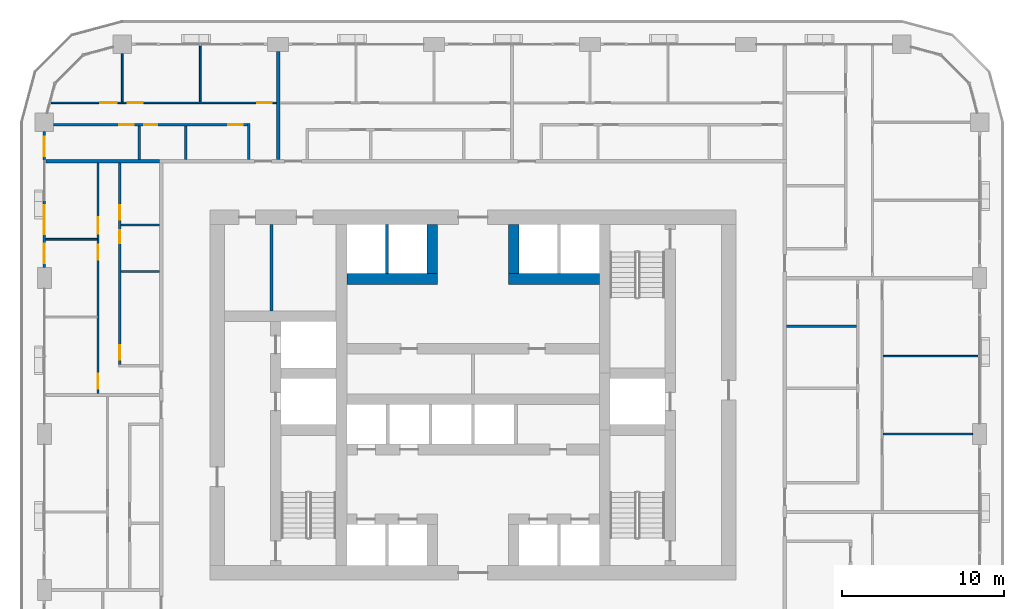
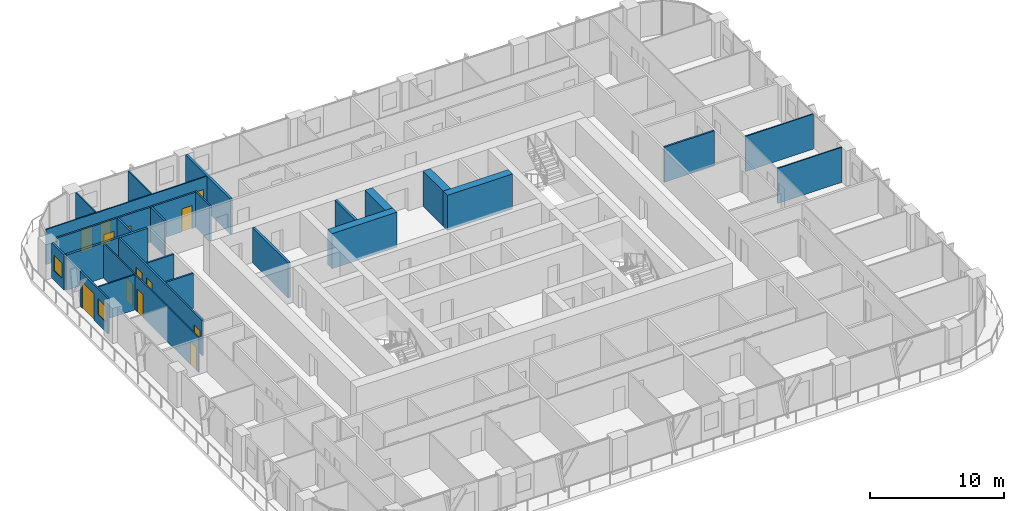
# One storey, part 13 of 22: 25 walls, 13 doors, 2 windows, 15 openings.
"""IFC4 building model written with IfcOpenShell, lengths in metres."""

from ifc_helpers import new_model, si_unit, direction, frame, frame_2d, origin, place, context, subcontext, project, spatial, rectangle, extrude, material, layer, layer_set, type_object, element, fill, save


model = new_model("IFC4")

# Units and contexts
model_context = context("Model", 3, precision=1e-05, world=origin(), true_north=direction((0.0, 1.0)))
body_context = subcontext(model_context, "Body", "Model", "MODEL_VIEW")
ifc_project = project(units=[si_unit("LENGTHUNIT", "METRE"), si_unit("AREAUNIT", "SQUARE_METRE"), si_unit("VOLUMEUNIT", "CUBIC_METRE"), si_unit("PLANEANGLEUNIT", "RADIAN"), si_unit("MASSUNIT", "GRAM", prefix="KILO")], contexts=[model_context])

# Site, building, storey
site_placement = place(None, origin())
site = spatial("IfcSite", under=ifc_project, at=site_placement, CompositionType="ELEMENT")
building_placement = place(site_placement, origin())
building = spatial("IfcBuilding", under=site, at=building_placement, Name="Madar Terraces", CompositionType="ELEMENT")
storey_placement = place(building_placement, frame((0.0, 0.0, 73.300048828125)))
storey = spatial("IfcBuildingStorey", under=building, at=storey_placement, Name="L18", CompositionType="ELEMENT", Elevation=73.300048828125)

# Walls
ifc_material_1 = material(Name="Concrete C80/95", Category="concrete")
ifc_layer_1 = layer(ifc_material_1, 0.64990234375)
ifc_layer_set_1 = layer_set([ifc_layer_1], Name="Concrete C80/95 (CIW2 RC wall 650)")
wall_type_1 = type_object("IfcWallType", Name="CIW2 RC wall 650", PredefinedType="SHEAR", material=ifc_layer_set_1)
wall_1_placement = place(storey_placement, frame((23.425048828125, 33.550048828125, 0.0), z_axis=(0.0, 0.0, 1.0), x_axis=(1.0, 0.0, 0.0)))
element("IfcWall", 1, at=wall_1_placement, inside=storey, type_object=wall_type_1, Name="CORE SHAFT WALL", PredefinedType="SHEAR", context=body_context, shape_type="SweptSolid", body=[
    extrude(rectangle(XDim=5.599853515625, YDim=0.64990234375, at=frame_2d((2.7998046875, 0.0))), origin(), (0.0, 0.0, 1.0), 3.199951171875),
])
wall_2_placement = place(storey_placement, frame((33.375, 33.550048828125, 0.0), z_axis=(0.0, 0.0, 1.0), x_axis=(1.0, 0.0, 0.0)))
element("IfcWall", 2, at=wall_2_placement, inside=storey, type_object=wall_type_1, Name="CORE SHAFT WALL", PredefinedType="SHEAR", context=body_context, shape_type="SweptSolid", body=[
    extrude(rectangle(XDim=5.60009765625, YDim=0.64990234375, at=frame_2d((2.800048828125, 0.0))), origin(), (0.0, 0.0, 1.0), 3.199951171875),
])
for number, where, z_axis, x_axis, name in (
    (3, (28.699951171875, 33.875, 0.0), (0.0, 0.0, 1.0), (0.0, 1.0, 0.0), "CORE SHAFT WALL"),
    (4, (33.699951171875, 33.875, 0.0), (0.0, 0.0, 1.0), (0.0, 1.0, 0.0), "CORE SHAFT WALL"),
):
    element("IfcWall", number, at=place(storey_placement, frame(where, z_axis=z_axis, x_axis=x_axis)), inside=storey, type_object=wall_type_1, Name=name, PredefinedType="SHEAR", context=body_context, shape_type="SweptSolid", body=[
        extrude(rectangle(XDim=3.02490234375, YDim=0.64990234375, at=frame_2d((1.512451171875, 0.0))), origin(), (0.0, 0.0, 1.0), 3.199951171875),
    ])
ifc_material_2 = material(Name="Masonry blockwork", Category="masonry")
ifc_layer_2 = layer(ifc_material_2, 0.199951171875)
ifc_layer_set_2 = layer_set([ifc_layer_2], Name="Core partition 200 blockwork")
wall_type_2 = type_object("IfcWallType", Name="Core partition 200 blockwork", PredefinedType="PARTITIONING", material=ifc_layer_set_2)
wall_3_placement = place(storey_placement, frame((18.78759765625, 31.574951171875, 0.0), z_axis=(0.0, 0.0, 1.0), x_axis=(0.0, 1.0, 0.0)))
element("IfcWall", 5, at=wall_3_placement, inside=storey, type_object=wall_type_2, Name="SERVICE ROOM PARTITION", PredefinedType="PARTITIONING", context=body_context, shape_type="SweptSolid", body=[
    extrude(rectangle(XDim=5.324951171875, YDim=0.199951171875, at=frame_2d((2.66259765625, 0.0))), origin(), (0.0, 0.0, 1.0), 3.199951171875),
])
ifc_material_3 = material(Name="Concrete C40/50", Category="concrete")
ifc_layer_3 = layer(ifc_material_3, 0.199951171875)
ifc_layer_set_3 = layer_set([ifc_layer_3], Name="Core shaft dividing wall 200 C40/50")
wall_type_3 = type_object("IfcWallType", Name="Core shaft dividing wall 200 C40/50", PredefinedType="SOLIDWALL", material=ifc_layer_set_3)
wall_4_placement = place(storey_placement, frame((25.89990234375, 33.875, 0.0), z_axis=(0.0, 0.0, 1.0), x_axis=(0.0, 1.0, 0.0)))
element("IfcWall", 6, at=wall_4_placement, inside=storey, type_object=wall_type_3, Name="SHAFT DIVIDING WALL", PredefinedType="SOLIDWALL", context=body_context, shape_type="SweptSolid", body=[
    extrude(rectangle(XDim=3.02490234375, YDim=0.199951171875, at=frame_2d((1.512451171875, 0.0))), origin(), (0.0, 0.0, 1.0), 3.199951171875),
])

# Wall, opening, window
ifc_material_4 = material(Name="Aluminium composite panel, black, over insulated backing", Category="aluminium")
ifc_layer_4 = layer(ifc_material_4, 0.14990234375)
ifc_layer_set_4 = layer_set([ifc_layer_4], Name="Facade bay panel 150")
wall_type_4 = type_object("IfcWallType", Name="Facade bay panel 150", PredefinedType="SOLIDWALL", material=ifc_layer_set_4)
wall_5_placement = place(storey_placement, frame((4.800048828125, 42.625, 0.0), z_axis=(0.0, 0.0, 1.0), x_axis=(0.0, -1.0, 0.0)))
wall_5 = element("IfcWall", 7, at=wall_5_placement, inside=storey, type_object=wall_type_4, Name="Facade bay panel", PredefinedType="SOLIDWALL", context=body_context, shape_type="SweptSolid", body=[
    extrude(rectangle(XDim=1.824951171875, YDim=0.14990234375, at=frame_2d((0.91259765625, 0.0))), origin(), (0.0, 0.0, 1.0), 3.199951171875),
])
opening_1_placement = place(wall_5_placement, frame((0.3125, 0.0, 0.89990234375)))
opening_1 = element("IfcOpeningElement", 8, at=opening_1_placement, cuts=wall_5, Name="Opening W1", PredefinedType="OPENING", context=body_context, shape_type="SweptSolid", body=[
    extrude(rectangle(XDim=1.199951171875, YDim=1.39990234375, at=frame_2d((0.60009765625, 0.699951171875))), frame((0.0, 0.0849609375, 0.0), z_axis=(0.0, -1.0, 0.0), x_axis=(1.0, 0.0, 0.0)), (0.0, 0.0, 1.0), 0.169921875),
])
ifc_material_5 = material(Name="Glass, clear, with black aluminium frame", Category="aluminium")
window_type = type_object("IfcWindowType", Name="Vent window 1200 x 1400", PartitioningType="SINGLE_PANEL", PredefinedType="WINDOW", material=ifc_material_5)
window_1_placement = place(opening_1_placement, origin())
window_1 = element("IfcWindow", 9, at=window_1_placement, inside=storey, type_object=window_type, Name="Operable vent window", OverallHeight=1.39990234375, OverallWidth=1.199951171875, PartitioningType="SINGLE_PANEL", PredefinedType="WINDOW", context=body_context, shape_type="SweptSolid", body=[
    extrude(rectangle(XDim=1.199951171875, YDim=1.39990234375, at=frame_2d((0.60009765625, 0.699951171875))), frame((0.0, 0.030029296875, 0.0), z_axis=(0.0, -1.0, 0.0), x_axis=(1.0, 0.0, 0.0)), (0.0, 0.0, 1.0), 0.06005859375),
])
fill(opening_1, window_1)

# Wall, openings, door, window
wall_6_placement = place(storey_placement, frame((4.800048828125, 38.39990234375, 0.0), z_axis=(0.0, 0.0, 1.0), x_axis=(0.0, -1.0, 0.0)))
wall_6 = element("IfcWall", 10, at=wall_6_placement, inside=storey, type_object=wall_type_4, Name="Facade bay panel", PredefinedType="SOLIDWALL", context=body_context, shape_type="SweptSolid", body=[
    extrude(rectangle(XDim=4.14990234375, YDim=0.14990234375, at=frame_2d((2.074951171875, 0.0))), origin(), (0.0, 0.0, 1.0), 3.199951171875),
])
opening_2_placement = place(wall_6_placement, frame((0.300048828125, 0.0, 0.0)))
opening_2 = element("IfcOpeningElement", 11, at=opening_2_placement, cuts=wall_6, Name="Opening ED1", PredefinedType="OPENING", context=body_context, shape_type="SweptSolid", body=[
    extrude(rectangle(XDim=1.800048828125, YDim=2.39990234375, at=frame_2d((0.89990234375, 1.199951171875))), frame((0.0, 0.0849609375, 0.0), z_axis=(0.0, -1.0, 0.0), x_axis=(1.0, 0.0, 0.0)), (0.0, 0.0, 1.0), 0.169921875),
])
opening_3_placement = place(wall_6_placement, frame((2.675048828125, 0.0, 0.89990234375)))
opening_3 = element("IfcOpeningElement", 12, at=opening_3_placement, cuts=wall_6, Name="Opening W1", PredefinedType="OPENING", context=body_context, shape_type="SweptSolid", body=[
    extrude(rectangle(XDim=1.199951171875, YDim=1.39990234375, at=frame_2d((0.60009765625, 0.699951171875))), frame((0.0, 0.0849609375, 0.0), z_axis=(0.0, -1.0, 0.0), x_axis=(1.0, 0.0, 0.0)), (0.0, 0.0, 1.0), 0.169921875),
])
ifc_material_6 = material(Name="Glass, clear, with black aluminium frame", Category="aluminium")
door_type_1 = type_object("IfcDoorType", Name="Balcony and terrace sliding door 1800 x 2400", OperationType="SLIDING_TO_LEFT", PredefinedType="DOOR", material=ifc_material_6)
door_1_placement = place(opening_2_placement, origin())
door_1 = element("IfcDoor", 13, at=door_1_placement, inside=storey, type_object=door_type_1, Name="Balcony door", OperationType="SLIDING_TO_RIGHT", OverallHeight=2.39990234375, OverallWidth=1.800048828125, PredefinedType="DOOR", context=body_context, shape_type="SweptSolid", body=[
    extrude(rectangle(XDim=1.800048828125, YDim=2.39990234375, at=frame_2d((0.89990234375, 1.199951171875))), frame((0.0, 0.02490234375, 0.0), z_axis=(0.0, -1.0, 0.0), x_axis=(1.0, 0.0, 0.0)), (0.0, 0.0, 1.0), 0.050048828125),
])
fill(opening_2, door_1)
window_2_placement = place(opening_3_placement, origin())
window_2 = element("IfcWindow", 14, at=window_2_placement, inside=storey, type_object=window_type, Name="Operable vent window", OverallHeight=1.39990234375, OverallWidth=1.199951171875, PartitioningType="SINGLE_PANEL", PredefinedType="WINDOW", context=body_context, shape_type="SweptSolid", body=[
    extrude(rectangle(XDim=1.199951171875, YDim=1.39990234375, at=frame_2d((0.60009765625, 0.699951171875))), frame((0.0, 0.030029296875, 0.0), z_axis=(0.0, -1.0, 0.0), x_axis=(1.0, 0.0, 0.0)), (0.0, 0.0, 1.0), 0.06005859375),
])
fill(opening_3, window_2)

# Walls
ifc_material_7 = material(Name="Gypsum board on steel studs", Category="steel")
ifc_layer_5 = layer(ifc_material_7, 0.10009765625)
ifc_layer_set_5 = layer_set([ifc_layer_5], Name="Flat partition 100")
wall_type_5 = type_object("IfcWallType", Name="Flat partition 100", PredefinedType="PARTITIONING", material=ifc_layer_set_5)
wall_7_placement = place(storey_placement, frame((56.449951171875, 24.0, 0.0), z_axis=(0.0, 0.0, 1.0), x_axis=(1.0, 0.0, 0.0)))
element("IfcWall", 15, at=wall_7_placement, inside=storey, type_object=wall_type_5, Name="Flat partition 100", PredefinedType="PARTITIONING", context=body_context, shape_type="SweptSolid", body=[
    extrude(rectangle(XDim=5.525146484375, YDim=0.10009765625, at=frame_2d((2.7626953125, 0.0))), origin(), (0.0, 0.0, 1.0), 3.199951171875),
])
wall_8_placement = place(storey_placement, frame((56.449951171875, 28.800048828125, 0.0), z_axis=(0.0, 0.0, 1.0), x_axis=(1.0, 0.0, 0.0)))
element("IfcWall", 16, at=wall_8_placement, inside=storey, type_object=wall_type_5, Name="Flat partition 100", PredefinedType="PARTITIONING", context=body_context, shape_type="SweptSolid", body=[
    extrude(rectangle(XDim=5.85009765625, YDim=0.10009765625, at=frame_2d((2.925048828125, 0.0))), origin(), (0.0, 0.0, 1.0), 3.199951171875),
])
wall_9_placement = place(storey_placement, frame((14.39990234375, 44.449951171875, 0.0), z_axis=(0.0, 0.0, 1.0), x_axis=(0.0, 1.0, 0.0)))
element("IfcWall", 17, at=wall_9_placement, inside=storey, type_object=wall_type_5, Name="Flat partition 100", PredefinedType="PARTITIONING", context=body_context, shape_type="SweptSolid", body=[
    extrude(rectangle(XDim=3.449951171875, YDim=0.10009765625, at=frame_2d((1.72509765625, 0.0))), origin(), (0.0, 0.0, 1.0), 3.199951171875),
])
wall_10_placement = place(storey_placement, frame((9.60009765625, 44.449951171875, 0.0), z_axis=(0.0, 0.0, 1.0), x_axis=(0.0, 1.0, 0.0)))
element("IfcWall", 18, at=wall_10_placement, inside=storey, type_object=wall_type_5, Name="Flat partition 100", PredefinedType="PARTITIONING", context=body_context, shape_type="SweptSolid", body=[
    extrude(rectangle(XDim=2.97509765625, YDim=0.10009765625, at=frame_2d((1.487548828125, 0.0))), origin(), (0.0, 0.0, 1.0), 3.199951171875),
])

# Wall, openings, doors
wall_11_placement = place(storey_placement, frame((5.221435546875, 44.39990234375, 0.0), z_axis=(0.0, 0.0, 1.0), x_axis=(1.0, 0.0, 0.0)))
wall_11 = element("IfcWall", 19, at=wall_11_placement, inside=storey, type_object=wall_type_5, Name="Flat partition 100", PredefinedType="PARTITIONING", context=body_context, shape_type="SweptSolid", body=[
    extrude(rectangle(XDim=13.878662109375, YDim=0.10009765625, at=frame_2d((6.939453125, 0.0))), origin(), (0.0, 0.0, 1.0), 3.199951171875),
])
opening_4_placement = place(wall_11_placement, frame((12.678466796875, 0.0, 0.0)))
opening_4 = element("IfcOpeningElement", 20, at=opening_4_placement, cuts=wall_11, Name="Opening D2", PredefinedType="OPENING", context=body_context, shape_type="SweptSolid", body=[
    extrude(rectangle(XDim=0.89990234375, YDim=2.10009765625, at=frame_2d((0.449951171875, 1.050048828125))), frame((0.0, 0.06005859375, 0.0), z_axis=(0.0, -1.0, 0.0), x_axis=(1.0, 0.0, 0.0)), (0.0, 0.0, 1.0), 0.1201171875),
])
opening_5_placement = place(wall_11_placement, frame((4.728515625, 0.0, 0.0)))
opening_5 = element("IfcOpeningElement", 21, at=opening_5_placement, cuts=wall_11, Name="Opening D2", PredefinedType="OPENING", context=body_context, shape_type="SweptSolid", body=[
    extrude(rectangle(XDim=0.89990234375, YDim=2.10009765625, at=frame_2d((0.449951171875, 1.050048828125))), frame((0.0, 0.06005859375, 0.0), z_axis=(0.0, -1.0, 0.0), x_axis=(1.0, 0.0, 0.0)), (0.0, 0.0, 1.0), 0.1201171875),
])
opening_6_placement = place(wall_11_placement, frame((3.028564453125, 0.0, 0.0)))
opening_6 = element("IfcOpeningElement", 22, at=opening_6_placement, cuts=wall_11, Name="Opening D3", PredefinedType="OPENING", context=body_context, shape_type="SweptSolid", body=[
    extrude(rectangle(XDim=1.0, YDim=2.10009765625, at=frame_2d((0.5, 1.050048828125))), frame((0.0, 0.06005859375, 0.0), z_axis=(0.0, -1.0, 0.0), x_axis=(1.0, 0.0, 0.0)), (0.0, 0.0, 1.0), 0.1201171875),
])
ifc_material_8 = material(Name="Timber door leaf", Category="wood")
door_type_2 = type_object("IfcDoorType", Name="Flat living room door 1000", OperationType="NOTDEFINED", PredefinedType="DOOR", material=ifc_material_8)
door_2_placement = place(opening_6_placement, origin())
door_2 = element("IfcDoor", 23, at=door_2_placement, inside=storey, type_object=door_type_2, Name="Flat living room door 1000", OperationType="SINGLE_SWING_RIGHT", OverallHeight=2.10009765625, OverallWidth=1.0, PredefinedType="DOOR", context=body_context, shape_type="SweptSolid", body=[
    extrude(rectangle(XDim=1.0, YDim=2.10009765625, at=frame_2d((0.5, 1.050048828125))), frame((0.0, 0.02490234375, 0.0), z_axis=(0.0, -1.0, 0.0), x_axis=(1.0, 0.0, 0.0)), (0.0, 0.0, 1.0), 0.050048828125),
])
fill(opening_6, door_2)
ifc_material_9 = material(Name="Timber door leaf", Category="wood")
door_type_3 = type_object("IfcDoorType", Name="Flat room door 900", OperationType="NOTDEFINED", PredefinedType="DOOR", material=ifc_material_9)
door_3_placement = place(opening_4_placement, origin())
door_3 = element("IfcDoor", 24, at=door_3_placement, inside=storey, type_object=door_type_3, Name="Flat room door 900", OperationType="SINGLE_SWING_RIGHT", OverallHeight=2.10009765625, OverallWidth=0.89990234375, PredefinedType="DOOR", context=body_context, shape_type="SweptSolid", body=[
    extrude(rectangle(XDim=0.89990234375, YDim=2.10009765625, at=frame_2d((0.449951171875, 1.050048828125))), frame((0.0, 0.02490234375, 0.0), z_axis=(0.0, -1.0, 0.0), x_axis=(1.0, 0.0, 0.0)), (0.0, 0.0, 1.0), 0.050048828125),
])
fill(opening_4, door_3)
door_4_placement = place(opening_5_placement, origin())
door_4 = element("IfcDoor", 25, at=door_4_placement, inside=storey, type_object=door_type_3, Name="Flat room door 900", OperationType="SINGLE_SWING_LEFT", OverallHeight=2.10009765625, OverallWidth=0.89990234375, PredefinedType="DOOR", context=body_context, shape_type="SweptSolid", body=[
    extrude(rectangle(XDim=0.89990234375, YDim=2.10009765625, at=frame_2d((0.449951171875, 1.050048828125))), frame((0.0, 0.02490234375, 0.0), z_axis=(0.0, -1.0, 0.0), x_axis=(1.0, 0.0, 0.0)), (0.0, 0.0, 1.0), 0.050048828125),
])
fill(opening_5, door_4)

# Wall
wall_12_placement = place(storey_placement, frame((8.050048828125, 36.0, 0.0), z_axis=(0.0, 0.0, 1.0), x_axis=(-1.0, 0.0, 0.0)))
element("IfcWall", 26, at=wall_12_placement, inside=storey, type_object=wall_type_5, Name="Flat partition 100", PredefinedType="PARTITIONING", context=body_context, shape_type="SweptSolid", body=[
    extrude(rectangle(XDim=3.150146484375, YDim=0.10009765625, at=frame_2d((1.5751953125, 0.0))), origin(), (0.0, 0.0, 1.0), 3.199951171875),
])

# Wall, openings, doors
wall_13_placement = place(storey_placement, frame((8.10009765625, 26.5, 0.0), z_axis=(0.0, 0.0, 1.0), x_axis=(0.0, 1.0, 0.0)))
wall_13 = element("IfcWall", 27, at=wall_13_placement, inside=storey, type_object=wall_type_5, Name="Flat partition 100", PredefinedType="PARTITIONING", context=body_context, shape_type="SweptSolid", body=[
    extrude(rectangle(XDim=14.199951171875, YDim=0.10009765625, at=frame_2d((7.10009765625, 0.0))), origin(), (0.0, 0.0, 1.0), 3.199951171875),
])
opening_7_placement = place(wall_13_placement, frame((0.300048828125, 0.0, 0.0)))
opening_7 = element("IfcOpeningElement", 28, at=opening_7_placement, cuts=wall_13, Name="Opening D2", PredefinedType="OPENING", context=body_context, shape_type="SweptSolid", body=[
    extrude(rectangle(XDim=0.89990234375, YDim=2.10009765625, at=frame_2d((0.449951171875, 1.050048828125))), frame((0.0, 0.06005859375, 0.0), z_axis=(0.0, -1.0, 0.0), x_axis=(1.0, 0.0, 0.0)), (0.0, 0.0, 1.0), 0.1201171875),
])
opening_8_placement = place(wall_13_placement, frame((8.25, 0.0, 0.0)))
opening_8 = element("IfcOpeningElement", 29, at=opening_8_placement, cuts=wall_13, Name="Opening D2", PredefinedType="OPENING", context=body_context, shape_type="SweptSolid", body=[
    extrude(rectangle(XDim=0.89990234375, YDim=2.10009765625, at=frame_2d((0.449951171875, 1.050048828125))), frame((0.0, 0.06005859375, 0.0), z_axis=(0.0, -1.0, 0.0), x_axis=(1.0, 0.0, 0.0)), (0.0, 0.0, 1.0), 0.1201171875),
])
opening_9_placement = place(wall_13_placement, frame((9.85009765625, 0.0, 0.0)))
opening_9 = element("IfcOpeningElement", 30, at=opening_9_placement, cuts=wall_13, Name="Opening D3", PredefinedType="OPENING", context=body_context, shape_type="SweptSolid", body=[
    extrude(rectangle(XDim=1.0, YDim=2.10009765625, at=frame_2d((0.5, 1.050048828125))), frame((0.0, 0.06005859375, 0.0), z_axis=(0.0, -1.0, 0.0), x_axis=(1.0, 0.0, 0.0)), (0.0, 0.0, 1.0), 0.1201171875),
])
door_5_placement = place(opening_9_placement, origin())
door_5 = element("IfcDoor", 31, at=door_5_placement, inside=storey, type_object=door_type_2, Name="Flat living room door 1000", OperationType="SINGLE_SWING_LEFT", OverallHeight=2.10009765625, OverallWidth=1.0, PredefinedType="DOOR", context=body_context, shape_type="SweptSolid", body=[
    extrude(rectangle(XDim=1.0, YDim=2.10009765625, at=frame_2d((0.5, 1.050048828125))), frame((0.0, 0.02490234375, 0.0), z_axis=(0.0, -1.0, 0.0), x_axis=(1.0, 0.0, 0.0)), (0.0, 0.0, 1.0), 0.050048828125),
])
fill(opening_9, door_5)
door_6_placement = place(opening_7_placement, origin())
door_6 = element("IfcDoor", 32, at=door_6_placement, inside=storey, type_object=door_type_3, Name="Flat room door 900", OperationType="SINGLE_SWING_LEFT", OverallHeight=2.10009765625, OverallWidth=0.89990234375, PredefinedType="DOOR", context=body_context, shape_type="SweptSolid", body=[
    extrude(rectangle(XDim=0.89990234375, YDim=2.10009765625, at=frame_2d((0.449951171875, 1.050048828125))), frame((0.0, 0.02490234375, 0.0), z_axis=(0.0, -1.0, 0.0), x_axis=(1.0, 0.0, 0.0)), (0.0, 0.0, 1.0), 0.050048828125),
])
fill(opening_7, door_6)
door_7_placement = place(opening_8_placement, origin())
door_7 = element("IfcDoor", 33, at=door_7_placement, inside=storey, type_object=door_type_3, Name="Flat room door 900", OperationType="SINGLE_SWING_RIGHT", OverallHeight=2.10009765625, OverallWidth=0.89990234375, PredefinedType="DOOR", context=body_context, shape_type="SweptSolid", body=[
    extrude(rectangle(XDim=0.89990234375, YDim=2.10009765625, at=frame_2d((0.449951171875, 1.050048828125))), frame((0.0, 0.02490234375, 0.0), z_axis=(0.0, -1.0, 0.0), x_axis=(1.0, 0.0, 0.0)), (0.0, 0.0, 1.0), 0.050048828125),
])
fill(opening_8, door_7)

# Walls
ifc_material_10 = material(Name="Lightweight blockwork", Category="masonry")
ifc_layer_6 = layer(ifc_material_10, 0.199951171875)
ifc_layer_set_6 = layer_set([ifc_layer_6], Name="Flat party and entrance wall 200")
wall_type_6 = type_object("IfcWallType", Name="Flat party and entrance wall 200", PredefinedType="PARTITIONING", material=ifc_layer_set_6)
wall_14_placement = place(storey_placement, frame((19.199951171875, 47.574951171875, 0.0), z_axis=(0.0, 0.0, 1.0), x_axis=(0.0, -1.0, 0.0)))
element("IfcWall", 34, at=wall_14_placement, inside=storey, type_object=wall_type_6, Name="Flat party and entrance wall 200", PredefinedType="PARTITIONING", context=body_context, shape_type="SweptSolid", body=[
    extrude(rectangle(XDim=6.675048828125, YDim=0.199951171875, at=frame_2d((3.33740234375, 0.0))), origin(), (0.0, 0.0, 1.0), 3.199951171875),
])
wall_15_placement = place(storey_placement, frame((4.89990234375, 40.800048828125, 0.0), z_axis=(0.0, 0.0, 1.0), x_axis=(1.0, 0.0, 0.0)))
element("IfcWall", 35, at=wall_15_placement, inside=storey, type_object=wall_type_6, Name="Flat party and entrance wall 200", PredefinedType="PARTITIONING", context=body_context, shape_type="SweptSolid", body=[
    extrude(rectangle(XDim=7.0, YDim=0.199951171875, at=frame_2d((3.5, 0.0))), origin(), (0.0, 0.0, 1.0), 3.199951171875),
])
ifc_material_11 = material(Name="Lightweight blockwork", Category="masonry")
ifc_layer_7 = layer(ifc_material_11, 0.14990234375)
ifc_layer_set_7 = layer_set([ifc_layer_7], Name="Flat wet-room partition 150")
wall_type_7 = type_object("IfcWallType", Name="Flat wet-room partition 150", PredefinedType="PARTITIONING", material=ifc_layer_set_7)
wall_16_placement = place(storey_placement, frame((50.5, 30.6328125, 0.0), z_axis=(0.0, 0.0, 1.0), x_axis=(1.0, 0.0, 0.0)))
element("IfcWall", 36, at=wall_16_placement, inside=storey, type_object=wall_type_7, Name="Flat wet-room partition 150", PredefinedType="PARTITIONING", context=body_context, shape_type="SweptSolid", body=[
    extrude(rectangle(XDim=4.324951171875, YDim=0.14990234375, at=frame_2d((2.16259765625, 0.0))), origin(), (0.0, 0.0, 1.0), 3.199951171875),
])
for number, where, z_axis, x_axis, name in (
    (37, (13.501953125, 40.89990234375, 0.0), (0.0, 0.0, 1.0), (0.0, 1.0, 0.0), "Flat wet-room partition 150"),
    (38, (10.634521484375, 40.89990234375, 0.0), (0.0, 0.0, 1.0), (0.0, 1.0, 0.0), "Flat wet-room partition 150"),
):
    element("IfcWall", number, at=place(storey_placement, frame(where, z_axis=z_axis, x_axis=x_axis)), inside=storey, type_object=wall_type_7, Name=name, PredefinedType="PARTITIONING", context=body_context, shape_type="SweptSolid", body=[
        extrude(rectangle(XDim=2.0751953125, YDim=0.14990234375, at=frame_2d((1.03759765625, 0.0))), origin(), (0.0, 0.0, 1.0), 3.199951171875),
    ])
wall_17_placement = place(storey_placement, frame((17.39990234375, 40.89990234375, 0.0), z_axis=(0.0, 0.0, 1.0), x_axis=(0.0, 1.0, 0.0)))
element("IfcWall", 39, at=wall_17_placement, inside=storey, type_object=wall_type_7, Name="Flat wet-room partition 150", PredefinedType="PARTITIONING", context=body_context, shape_type="SweptSolid", body=[
    extrude(rectangle(XDim=2.22509765625, YDim=0.14990234375, at=frame_2d((1.112548828125, 0.0))), origin(), (0.0, 0.0, 1.0), 3.199951171875),
])

# Wall, openings, doors
wall_18_placement = place(storey_placement, frame((17.324951171875, 43.050048828125, 0.0), z_axis=(0.0, 0.0, 1.0), x_axis=(-1.0, 0.0, 0.0)))
wall_18 = element("IfcWall", 40, at=wall_18_placement, inside=storey, type_object=wall_type_7, Name="Flat wet-room partition 150", PredefinedType="PARTITIONING", context=body_context, shape_type="SweptSolid", body=[
    extrude(rectangle(XDim=11.949951171875, YDim=0.14990234375, at=frame_2d((5.97509765625, 0.0))), origin(), (0.0, 0.0, 1.0), 3.199951171875),
])
opening_10_placement = place(wall_18_placement, frame((0.300048828125, 0.0, 0.0)))
opening_10 = element("IfcOpeningElement", 41, at=opening_10_placement, cuts=wall_18, Name="Opening D5", PredefinedType="OPENING", context=body_context, shape_type="SweptSolid", body=[
    extrude(rectangle(XDim=0.89990234375, YDim=2.10009765625, at=frame_2d((0.449951171875, 1.050048828125))), frame((0.0, 0.0849609375, 0.0), z_axis=(0.0, -1.0, 0.0), x_axis=(1.0, 0.0, 0.0)), (0.0, 0.0, 1.0), 0.169921875),
])
opening_11_placement = place(wall_18_placement, frame((5.5654296875, 0.0, 0.0)))
opening_11 = element("IfcOpeningElement", 42, at=opening_11_placement, cuts=wall_18, Name="Opening D4", PredefinedType="OPENING", context=body_context, shape_type="SweptSolid", body=[
    extrude(rectangle(XDim=0.800048828125, YDim=2.10009765625, at=frame_2d((0.39990234375, 1.050048828125))), frame((0.0, 0.0849609375, 0.0), z_axis=(0.0, -1.0, 0.0), x_axis=(1.0, 0.0, 0.0)), (0.0, 0.0, 1.0), 0.169921875),
])
opening_12_placement = place(wall_18_placement, frame((7.015380859375, 0.0, 0.0)))
opening_12 = element("IfcOpeningElement", 43, at=opening_12_placement, cuts=wall_18, Name="Opening D2", PredefinedType="OPENING", context=body_context, shape_type="SweptSolid", body=[
    extrude(rectangle(XDim=0.89990234375, YDim=2.10009765625, at=frame_2d((0.449951171875, 1.050048828125))), frame((0.0, 0.0849609375, 0.0), z_axis=(0.0, -1.0, 0.0), x_axis=(1.0, 0.0, 0.0)), (0.0, 0.0, 1.0), 0.169921875),
])
ifc_material_12 = material(Name="Timber door leaf", Category="wood")
door_type_4 = type_object("IfcDoorType", Name="Flat accessible bathroom door 900", OperationType="NOTDEFINED", PredefinedType="DOOR", material=ifc_material_12)
door_8_placement = place(opening_10_placement, origin())
door_8 = element("IfcDoor", 44, at=door_8_placement, inside=storey, type_object=door_type_4, Name="Flat accessible bathroom door 900", OperationType="SINGLE_SWING_LEFT", OverallHeight=2.10009765625, OverallWidth=0.89990234375, PredefinedType="DOOR", context=body_context, shape_type="SweptSolid", body=[
    extrude(rectangle(XDim=0.89990234375, YDim=2.10009765625, at=frame_2d((0.449951171875, 1.050048828125))), frame((0.0, 0.02490234375, 0.0), z_axis=(0.0, -1.0, 0.0), x_axis=(1.0, 0.0, 0.0)), (0.0, 0.0, 1.0), 0.050048828125),
])
fill(opening_10, door_8)
ifc_material_13 = material(Name="Timber door leaf", Category="wood")
door_type_5 = type_object("IfcDoorType", Name="Flat bathroom door 800", OperationType="NOTDEFINED", PredefinedType="DOOR", material=ifc_material_13)
door_9_placement = place(opening_11_placement, origin())
door_9 = element("IfcDoor", 45, at=door_9_placement, inside=storey, type_object=door_type_5, Name="Flat bathroom door 800", OperationType="SINGLE_SWING_RIGHT", OverallHeight=2.10009765625, OverallWidth=0.800048828125, PredefinedType="DOOR", context=body_context, shape_type="SweptSolid", body=[
    extrude(rectangle(XDim=0.800048828125, YDim=2.10009765625, at=frame_2d((0.39990234375, 1.050048828125))), frame((0.0, 0.02490234375, 0.0), z_axis=(0.0, -1.0, 0.0), x_axis=(1.0, 0.0, 0.0)), (0.0, 0.0, 1.0), 0.050048828125),
])
fill(opening_11, door_9)
door_10_placement = place(opening_12_placement, origin())
door_10 = element("IfcDoor", 46, at=door_10_placement, inside=storey, type_object=door_type_3, Name="Flat room door 900", OperationType="SINGLE_SWING_LEFT", OverallHeight=2.10009765625, OverallWidth=0.89990234375, PredefinedType="DOOR", context=body_context, shape_type="SweptSolid", body=[
    extrude(rectangle(XDim=0.89990234375, YDim=2.10009765625, at=frame_2d((0.449951171875, 1.050048828125))), frame((0.0, 0.02490234375, 0.0), z_axis=(0.0, -1.0, 0.0), x_axis=(1.0, 0.0, 0.0)), (0.0, 0.0, 1.0), 0.050048828125),
])
fill(opening_12, door_10)

# Walls
for number, where, z_axis, x_axis, name in (
    (47, (11.89990234375, 34.009521484375, 0.0), (0.0, 0.0, 1.0), (-1.0, 0.0, 0.0), "Flat wet-room partition 150"),
    (48, (11.89990234375, 36.876953125, 0.0), (0.0, 0.0, 1.0), (-1.0, 0.0, 0.0), "Flat wet-room partition 150"),
):
    element("IfcWall", number, at=place(storey_placement, frame(where, z_axis=z_axis, x_axis=x_axis)), inside=storey, type_object=wall_type_7, Name=name, PredefinedType="PARTITIONING", context=body_context, shape_type="SweptSolid", body=[
        extrude(rectangle(XDim=2.375, YDim=0.14990234375, at=frame_2d((1.1875, 0.0))), origin(), (0.0, 0.0, 1.0), 3.199951171875),
    ])

# Wall, openings, doors
wall_19_placement = place(storey_placement, frame((9.449951171875, 40.699951171875, 0.0), z_axis=(0.0, 0.0, 1.0), x_axis=(0.0, -1.0, 0.0)))
wall_19 = element("IfcWall", 49, at=wall_19_placement, inside=storey, type_object=wall_type_7, Name="Flat wet-room partition 150", PredefinedType="PARTITIONING", context=body_context, shape_type="SweptSolid", body=[
    extrude(rectangle(XDim=12.425048828125, YDim=0.14990234375, at=frame_2d((6.21240234375, 0.0))), origin(), (0.0, 0.0, 1.0), 3.199951171875),
])
opening_13_placement = place(wall_19_placement, frame((11.22509765625, 0.0, 0.0)))
opening_13 = element("IfcOpeningElement", 50, at=opening_13_placement, cuts=wall_19, Name="Opening D2", PredefinedType="OPENING", context=body_context, shape_type="SweptSolid", body=[
    extrude(rectangle(XDim=0.89990234375, YDim=2.10009765625, at=frame_2d((0.449951171875, 1.050048828125))), frame((0.0, 0.0849609375, 0.0), z_axis=(0.0, -1.0, 0.0), x_axis=(1.0, 0.0, 0.0)), (0.0, 0.0, 1.0), 0.169921875),
])
opening_14_placement = place(wall_19_placement, frame((4.148193359375, 0.0, 0.0)))
opening_14 = element("IfcOpeningElement", 51, at=opening_14_placement, cuts=wall_19, Name="Opening D4", PredefinedType="OPENING", context=body_context, shape_type="SweptSolid", body=[
    extrude(rectangle(XDim=0.800048828125, YDim=2.10009765625, at=frame_2d((0.39990234375, 1.050048828125))), frame((0.0, 0.0849609375, 0.0), z_axis=(0.0, -1.0, 0.0), x_axis=(1.0, 0.0, 0.0)), (0.0, 0.0, 1.0), 0.169921875),
])
opening_15_placement = place(wall_19_placement, frame((2.59814453125, 0.0, 0.0)))
opening_15 = element("IfcOpeningElement", 52, at=opening_15_placement, cuts=wall_19, Name="Opening D5", PredefinedType="OPENING", context=body_context, shape_type="SweptSolid", body=[
    extrude(rectangle(XDim=0.89990234375, YDim=2.10009765625, at=frame_2d((0.449951171875, 1.050048828125))), frame((0.0, 0.0849609375, 0.0), z_axis=(0.0, -1.0, 0.0), x_axis=(1.0, 0.0, 0.0)), (0.0, 0.0, 1.0), 0.169921875),
])
door_11_placement = place(opening_15_placement, origin())
door_11 = element("IfcDoor", 53, at=door_11_placement, inside=storey, type_object=door_type_4, Name="Flat accessible bathroom door 900", OperationType="SINGLE_SWING_RIGHT", OverallHeight=2.10009765625, OverallWidth=0.89990234375, PredefinedType="DOOR", context=body_context, shape_type="SweptSolid", body=[
    extrude(rectangle(XDim=0.89990234375, YDim=2.10009765625, at=frame_2d((0.449951171875, 1.050048828125))), frame((0.0, 0.02490234375, 0.0), z_axis=(0.0, -1.0, 0.0), x_axis=(1.0, 0.0, 0.0)), (0.0, 0.0, 1.0), 0.050048828125),
])
fill(opening_15, door_11)
door_12_placement = place(opening_14_placement, origin())
door_12 = element("IfcDoor", 54, at=door_12_placement, inside=storey, type_object=door_type_5, Name="Flat bathroom door 800", OperationType="SINGLE_SWING_LEFT", OverallHeight=2.10009765625, OverallWidth=0.800048828125, PredefinedType="DOOR", context=body_context, shape_type="SweptSolid", body=[
    extrude(rectangle(XDim=0.800048828125, YDim=2.10009765625, at=frame_2d((0.39990234375, 1.050048828125))), frame((0.0, 0.02490234375, 0.0), z_axis=(0.0, -1.0, 0.0), x_axis=(1.0, 0.0, 0.0)), (0.0, 0.0, 1.0), 0.050048828125),
])
fill(opening_14, door_12)
door_13_placement = place(opening_13_placement, origin())
door_13 = element("IfcDoor", 55, at=door_13_placement, inside=storey, type_object=door_type_3, Name="Flat room door 900", OperationType="SINGLE_SWING_RIGHT", OverallHeight=2.10009765625, OverallWidth=0.89990234375, PredefinedType="DOOR", context=body_context, shape_type="SweptSolid", body=[
    extrude(rectangle(XDim=0.89990234375, YDim=2.10009765625, at=frame_2d((0.449951171875, 1.050048828125))), frame((0.0, 0.02490234375, 0.0), z_axis=(0.0, -1.0, 0.0), x_axis=(1.0, 0.0, 0.0)), (0.0, 0.0, 1.0), 0.050048828125),
])
fill(opening_13, door_13)

save(model, "model.ifc")
